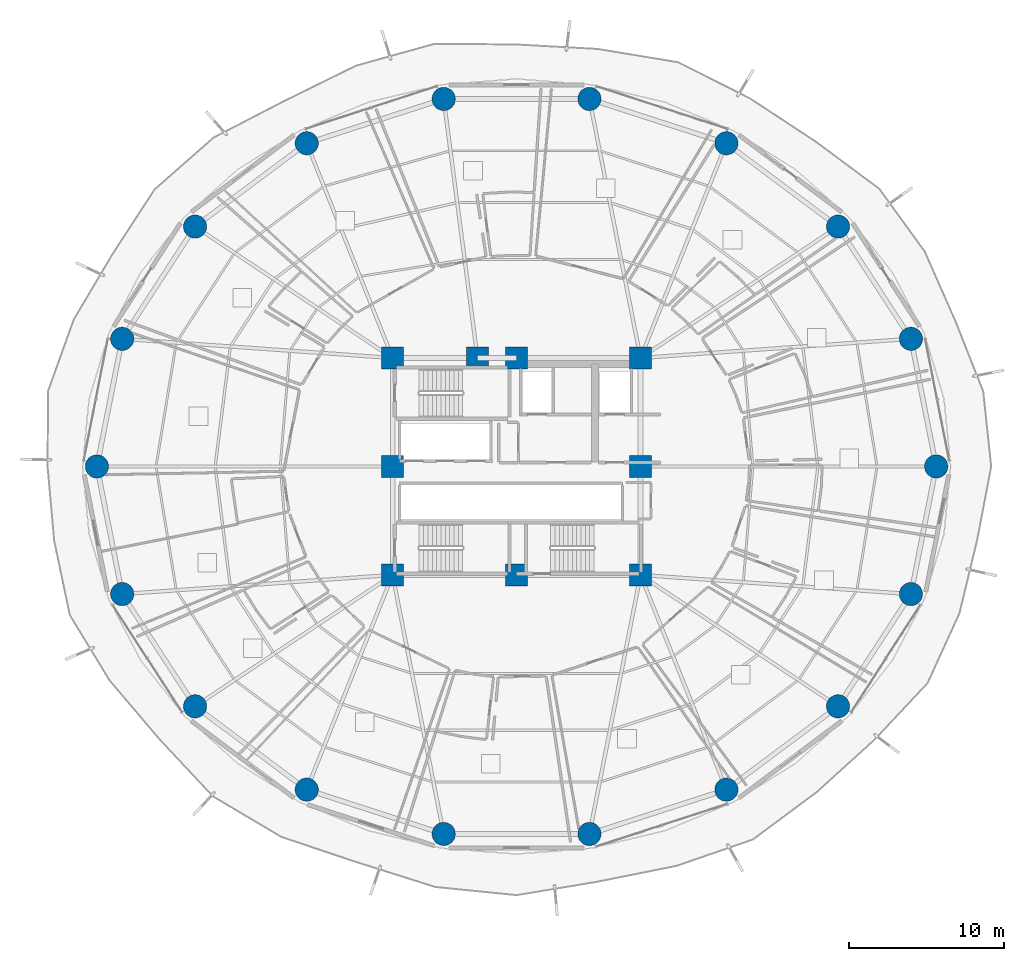
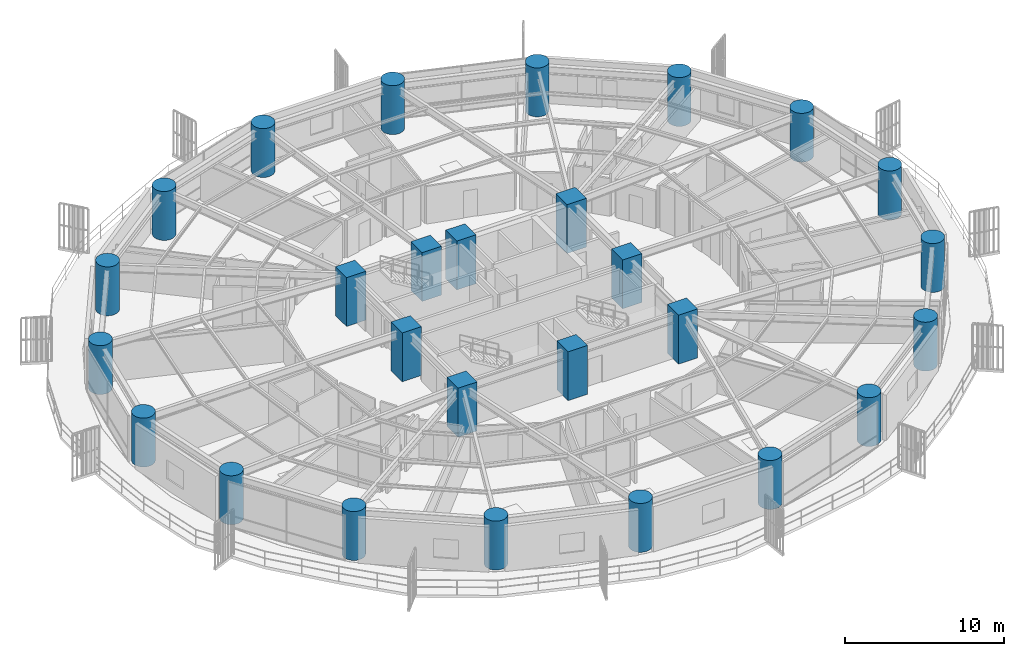
# One storey, part 1 of 34: 27 columns.
"""IFC4 building model written with IfcOpenShell, lengths in metres."""

from ifc_helpers import new_model, si_unit, direction, frame, origin, origin_2d, place, context, subcontext, project, spatial, rectangle, circle, extrude, material, material_profile, profile_set, type_object, element, save


model = new_model("IFC4")

# Units and contexts
model_context = context("Model", 3, precision=1e-05, world=origin(), true_north=direction((0.0, 1.0)))
body_context = subcontext(model_context, "Body", "Model", "MODEL_VIEW")
ifc_project = project(units=[si_unit("LENGTHUNIT", "METRE"), si_unit("AREAUNIT", "SQUARE_METRE"), si_unit("VOLUMEUNIT", "CUBIC_METRE"), si_unit("PLANEANGLEUNIT", "RADIAN"), si_unit("MASSUNIT", "GRAM", prefix="KILO")], contexts=[model_context])

# Site, building, storey
site_placement = place(None, origin())
site = spatial("IfcSite", under=ifc_project, at=site_placement, CompositionType="ELEMENT")
building_placement = place(site_placement, origin())
building = spatial("IfcBuilding", under=site, at=building_placement, Name="Kelanora Arch Commons", CompositionType="ELEMENT")
storey_placement = place(building_placement, frame((0.0, 0.0, 33.75)))
storey = spatial("IfcBuildingStorey", under=building, at=storey_placement, Name="L08", CompositionType="ELEMENT", Elevation=33.75)

# Columns
ifc_material = material(Name="Concrete C60/75", Category="concrete")
ifc_material_profile_1 = material_profile(ifc_material, circle(Radius=0.75, at=origin_2d()), Name="RCC1500")
ifc_profile_set_1 = profile_set([ifc_material_profile_1], Name="Concrete C60/75")
column_type_1 = type_object("IfcColumnType", Name="COL-PERIM-Z1", PredefinedType="COLUMN", material=ifc_profile_set_1)
for number, where, z_axis, x_axis, name in (
    (1, (101.080078125, 58.0, 0.0), (0.0, 0.0, 1.0), (1.0, 0.0, 0.0), "Perimeter Ring Column CP-00 L08"),
    (2, (99.447021484375, 66.23583984375, 0.0), (0.0, 0.0, 1.0), (1.0, 0.0, 0.0), "Perimeter Ring Column CP-02 L08"),
    (3, (94.744384765625, 73.478271484375, 0.0), (0.0, 0.0, 1.0), (1.0, 0.0, 0.0), "Perimeter Ring Column CP-04 L08"),
    (4, (87.5400390625, 78.85400390625, 0.0), (0.0, 0.0, 1.0), (1.0, 0.0, 0.0), "Perimeter Ring Column CP-06 L08"),
    (5, (78.702392578125, 81.714111328125, 0.0), (0.0, 0.0, 1.0), (1.0, 0.0, 0.0), "Perimeter Ring Column CP-08 L08"),
    (6, (69.297607421875, 81.714111328125, 0.0), (0.0, 0.0, 1.0), (1.0, 0.0, 0.0), "Perimeter Ring Column CP-10 L08"),
    (7, (60.4599609375, 78.85400390625, 0.0), (0.0, 0.0, 1.0), (1.0, 0.0, 0.0), "Perimeter Ring Column CP-12 L08"),
    (8, (53.255615234375, 73.478271484375, 0.0), (0.0, 0.0, 1.0), (1.0, 0.0, 0.0), "Perimeter Ring Column CP-14 L08"),
    (9, (48.552978515625, 66.23583984375, 0.0), (0.0, 0.0, 1.0), (1.0, 0.0, 0.0), "Perimeter Ring Column CP-16 L08"),
    (10, (46.919921875, 58.0, 0.0), (0.0, 0.0, 1.0), (1.0, 0.0, 0.0), "Perimeter Ring Column CP-18 L08"),
    (11, (48.552978515625, 49.76416015625, 0.0), (0.0, 0.0, 1.0), (1.0, 0.0, 0.0), "Perimeter Ring Column CP-20 L08"),
    (12, (53.255615234375, 42.521728515625, 0.0), (0.0, 0.0, 1.0), (1.0, 0.0, 0.0), "Perimeter Ring Column CP-22 L08"),
    (13, (60.4599609375, 37.14599609375, 0.0), (0.0, 0.0, 1.0), (1.0, 0.0, 0.0), "Perimeter Ring Column CP-24 L08"),
    (14, (69.297607421875, 34.285888671875, 0.0), (0.0, 0.0, 1.0), (1.0, 0.0, 0.0), "Perimeter Ring Column CP-26 L08"),
    (15, (78.702392578125, 34.285888671875, 0.0), (0.0, 0.0, 1.0), (1.0, 0.0, 0.0), "Perimeter Ring Column CP-28 L08"),
    (16, (87.5400390625, 37.14599609375, 0.0), (0.0, 0.0, 1.0), (1.0, 0.0, 0.0), "Perimeter Ring Column CP-30 L08"),
    (17, (94.744384765625, 42.521728515625, 0.0), (0.0, 0.0, 1.0), (1.0, 0.0, 0.0), "Perimeter Ring Column CP-32 L08"),
    (18, (99.447021484375, 49.76416015625, 0.0), (0.0, 0.0, 1.0), (1.0, 0.0, 0.0), "Perimeter Ring Column CP-34 L08"),
):
    element("IfcColumn", number, at=place(storey_placement, frame(where, z_axis=z_axis, x_axis=x_axis)), inside=storey, type_object=column_type_1, Name=name, PredefinedType="COLUMN", context=body_context, shape_type="SweptSolid", body=[
        extrude(circle(Radius=0.75, at=origin_2d()), origin(), (0.0, 0.0, 1.0), 3.75),
    ])
ifc_material_profile_2 = material_profile(ifc_material, rectangle(XDim=1.39990234375, YDim=1.39990234375, at=origin_2d()), Name="RC1400x1400")
ifc_profile_set_2 = profile_set([ifc_material_profile_2], Name="Concrete C60/75")
column_type_2 = type_object("IfcColumnType", Name="COL-PIL-LOW", PredefinedType="PILASTER", material=ifc_profile_set_2)
for number, where, z_axis, x_axis, name in (
    (19, (66.0, 51.0, 0.0), (0.0, 0.0, 1.0), (1.0, 0.0, 0.0), "Core Pilaster Column CP1 L08"),
    (20, (74.0, 51.0, 0.0), (0.0, 0.0, 1.0), (1.0, 0.0, 0.0), "Core Pilaster Column CP2 L08"),
    (21, (82.0, 51.0, 0.0), (0.0, 0.0, 1.0), (1.0, 0.0, 0.0), "Core Pilaster Column CP3 L08"),
    (22, (82.0, 58.0, 0.0), (0.0, 0.0, 1.0), (1.0, 0.0, 0.0), "Core Pilaster Column CP4 L08"),
    (23, (82.0, 65.0, 0.0), (0.0, 0.0, 1.0), (1.0, 0.0, 0.0), "Core Pilaster Column CP5 L08"),
    (24, (74.0, 65.0, 0.0), (0.0, 0.0, 1.0), (1.0, 0.0, 0.0), "Core Pilaster Column CP6 L08"),
    (25, (71.47998046875, 65.0, 0.0), (0.0, 0.0, 1.0), (1.0, 0.0, 0.0), "Core Pilaster Column CP9 L08"),
    (26, (66.0, 65.0, 0.0), (0.0, 0.0, 1.0), (1.0, 0.0, 0.0), "Core Pilaster Column CP7 L08"),
    (27, (66.0, 58.0, 0.0), (0.0, 0.0, 1.0), (1.0, 0.0, 0.0), "Core Pilaster Column CP8 L08"),
):
    element("IfcColumn", number, at=place(storey_placement, frame(where, z_axis=z_axis, x_axis=x_axis)), inside=storey, type_object=column_type_2, Name=name, PredefinedType="PILASTER", context=body_context, shape_type="SweptSolid", body=[
        extrude(rectangle(XDim=1.39990234375, YDim=1.39990234375, at=origin_2d()), origin(), (0.0, 0.0, 1.0), 3.75),
    ])

save(model, "model.ifc")
